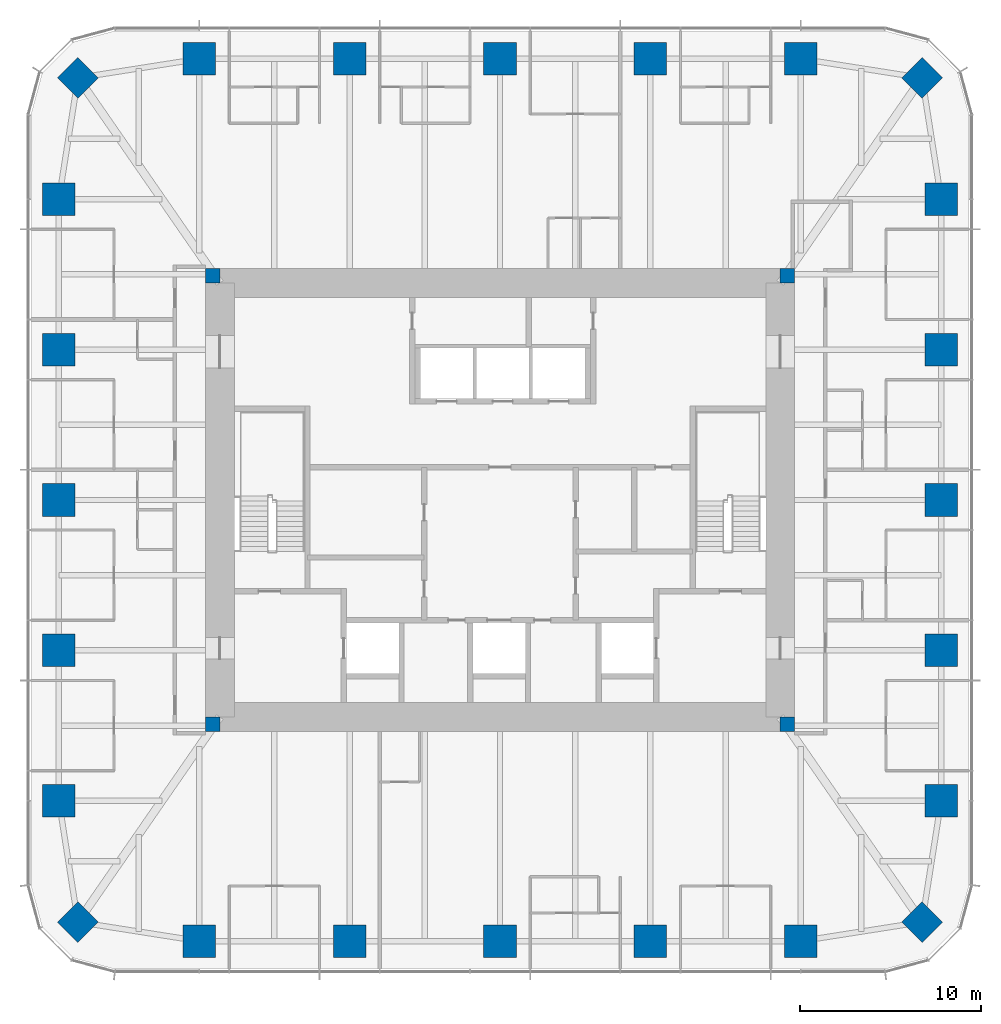
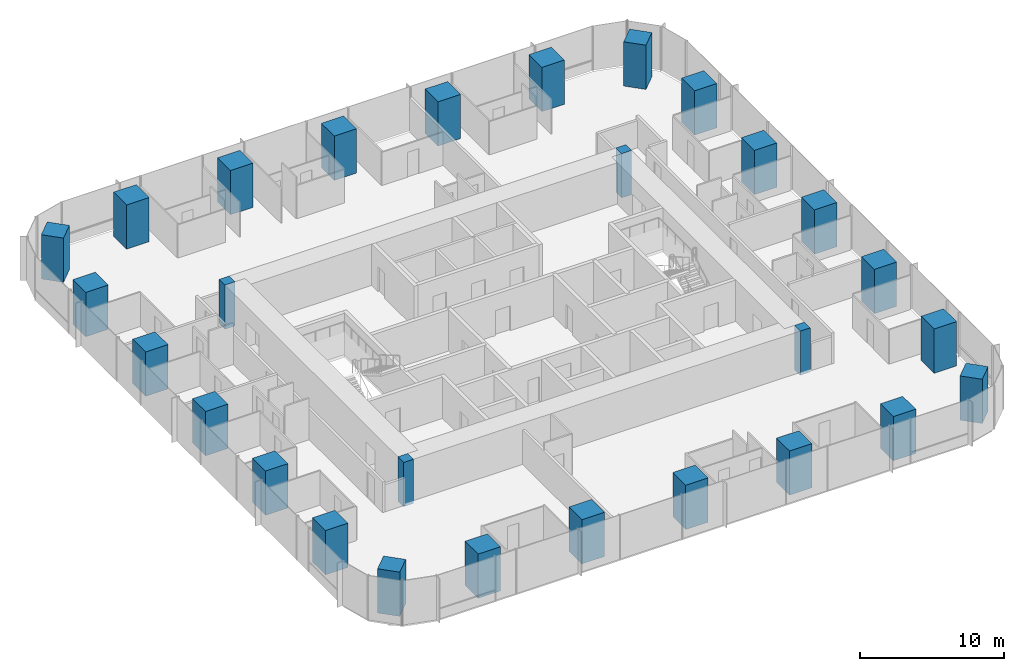
# One storey, part 1 of 12: 28 columns.
"""IFC4 building model written with IfcOpenShell, lengths in metres."""

from ifc_helpers import new_model, si_unit, direction, frame, origin, origin_2d, place, context, subcontext, project, spatial, rectangle, extrude, material, material_profile, profile_set, type_object, element, save


model = new_model("IFC4")

# Units and contexts
model_context = context("Model", 3, precision=1e-05, world=origin(), true_north=direction((0.0, 1.0)))
body_context = subcontext(model_context, "Body", "Model", "MODEL_VIEW")
ifc_project = project(units=[si_unit("LENGTHUNIT", "METRE"), si_unit("AREAUNIT", "SQUARE_METRE"), si_unit("VOLUMEUNIT", "CUBIC_METRE"), si_unit("PLANEANGLEUNIT", "RADIAN"), si_unit("MASSUNIT", "GRAM", prefix="KILO")], contexts=[model_context])

# Site, building, storey
site_placement = place(None, origin())
site = spatial("IfcSite", under=ifc_project, at=site_placement, CompositionType="ELEMENT")
building_placement = place(site_placement, origin())
building = spatial("IfcBuilding", under=site, at=building_placement, Name="Khuree Lantern Residences", CompositionType="ELEMENT")
storey_placement = place(building_placement, frame((0.0, 0.0, 240.75)))
storey = spatial("IfcBuildingStorey", under=building, at=storey_placement, Name="L60", CompositionType="ELEMENT", Elevation=240.75)

# Columns
ifc_material_1 = material(Name="Concrete C70/85", Category="concrete")
ifc_material_profile_1 = material_profile(ifc_material_1, rectangle(XDim=1.60009765625, YDim=1.60009765625, at=origin_2d()), Name="RC 1600X1600")
ifc_profile_set_1 = profile_set([ifc_material_profile_1], Name="Concrete C70/85")
column_type_1 = type_object("IfcColumnType", Name="CC1600A PERIMETER CORNER COLUMN RC 1600X1600", PredefinedType="COLUMN", material=ifc_profile_set_1)
for number, where, z_axis, x_axis, name in (
    (1, (23.345703125, 23.345703125, 0.0), (0.0, 0.0, 1.0), (0.707106781187, -0.707106781187, 0.0), "Perimeter column NE"),
    (2, (23.345703125, -23.345703125, 0.0), (0.0, 0.0, 1.0), (0.707106781187, 0.707106781187, 0.0), "Perimeter column SE"),
    (3, (-23.345703125, -23.345703125, 0.0), (0.0, 0.0, 1.0), (0.707106781187, -0.707106781187, 0.0), "Perimeter column SW"),
    (4, (-23.345703125, 23.345703125, 0.0), (0.0, 0.0, 1.0), (0.707106781187, 0.707106781187, 0.0), "Perimeter column NW"),
):
    element("IfcColumn", number, at=place(storey_placement, frame(where, z_axis=z_axis, x_axis=x_axis)), inside=storey, type_object=column_type_1, Name=name, PredefinedType="COLUMN", context=body_context, shape_type="SweptSolid", body=[
        extrude(rectangle(XDim=1.60009765625, YDim=1.60009765625, at=origin_2d()), origin(), (0.0, 0.0, 1.0), 3.75),
    ])
ifc_material_2 = material(Name="Concrete C50/60", Category="concrete")
ifc_material_profile_2 = material_profile(ifc_material_2, rectangle(XDim=0.800048828125, YDim=0.800048828125, at=origin_2d()), Name="RC 800X800")
ifc_profile_set_2 = profile_set([ifc_material_profile_2], Name="Concrete C50/60")
column_type_2 = type_object("IfcColumnType", Name="CP800-C50 CORE CORNER PIER C50 RC 800X800", PredefinedType="COLUMN", material=ifc_profile_set_2)
for number, where, z_axis, x_axis, name in (
    (5, (15.89990234375, 12.39990234375, -0.25), (0.0, 0.0, 1.0), (1.0, 0.0, 0.0), "Core corner pier NE"),
    (6, (-15.89990234375, 12.39990234375, -0.25), (0.0, 0.0, 1.0), (1.0, 0.0, 0.0), "Core corner pier NW"),
    (7, (-15.89990234375, -12.39990234375, -0.25), (0.0, 0.0, 1.0), (1.0, 0.0, 0.0), "Core corner pier SW"),
    (8, (15.89990234375, -12.39990234375, -0.25), (0.0, 0.0, 1.0), (1.0, 0.0, 0.0), "Core corner pier SE"),
):
    element("IfcColumn", number, at=place(storey_placement, frame(where, z_axis=z_axis, x_axis=x_axis)), inside=storey, type_object=column_type_2, Name=name, PredefinedType="COLUMN", context=body_context, shape_type="SweptSolid", body=[
        extrude(rectangle(XDim=0.800048828125, YDim=0.800048828125, at=origin_2d()), origin(), (0.0, 0.0, 1.0), 3.75),
    ])
ifc_material_profile_3 = material_profile(ifc_material_1, rectangle(XDim=1.800048828125, YDim=1.800048828125, at=origin_2d()), Name="RC 1800X1800")
ifc_profile_set_3 = profile_set([ifc_material_profile_3], Name="Concrete C70/85")
column_type_3 = type_object("IfcColumnType", Name="PC4 PERIMETER COLUMN RC 1800X1800", PredefinedType="COLUMN", material=ifc_profile_set_3)
for number, where, z_axis, x_axis, name in (
    (9, (-16.639892578125, 24.39990234375, 0.0), (0.0, 0.0, 1.0), (1.0, 0.0, 0.0), "Perimeter column N1"),
    (10, (-8.320068359375, 24.39990234375, 0.0), (0.0, 0.0, 1.0), (1.0, 0.0, 0.0), "Perimeter column N2"),
    (11, (0.0, 24.39990234375, 0.0), (0.0, 0.0, 1.0), (1.0, 0.0, 0.0), "Perimeter column N3"),
    (12, (8.320068359375, 24.39990234375, 0.0), (0.0, 0.0, 1.0), (1.0, 0.0, 0.0), "Perimeter column N4"),
    (13, (16.639892578125, 24.39990234375, 0.0), (0.0, 0.0, 1.0), (1.0, 0.0, 0.0), "Perimeter column N5"),
    (14, (24.39990234375, 16.639892578125, 0.0), (0.0, 0.0, 1.0), (0.0, 1.0, 0.0), "Perimeter column E1"),
    (15, (24.39990234375, 8.320068359375, 0.0), (0.0, 0.0, 1.0), (0.0, 1.0, 0.0), "Perimeter column E2"),
    (16, (24.39990234375, 0.0, 0.0), (0.0, 0.0, 1.0), (0.0, 1.0, 0.0), "Perimeter column E3"),
    (17, (24.39990234375, -8.320068359375, 0.0), (0.0, 0.0, 1.0), (0.0, 1.0, 0.0), "Perimeter column E4"),
    (18, (24.39990234375, -16.639892578125, 0.0), (0.0, 0.0, 1.0), (0.0, 1.0, 0.0), "Perimeter column E5"),
    (19, (16.639892578125, -24.39990234375, 0.0), (0.0, 0.0, 1.0), (1.0, 0.0, 0.0), "Perimeter column S1"),
    (20, (8.320068359375, -24.39990234375, 0.0), (0.0, 0.0, 1.0), (1.0, 0.0, 0.0), "Perimeter column S2"),
    (21, (0.0, -24.39990234375, 0.0), (0.0, 0.0, 1.0), (1.0, 0.0, 0.0), "Perimeter column S3"),
    (22, (-8.320068359375, -24.39990234375, 0.0), (0.0, 0.0, 1.0), (1.0, 0.0, 0.0), "Perimeter column S4"),
    (23, (-16.639892578125, -24.39990234375, 0.0), (0.0, 0.0, 1.0), (1.0, 0.0, 0.0), "Perimeter column S5"),
    (24, (-24.39990234375, -16.639892578125, 0.0), (0.0, 0.0, 1.0), (0.0, 1.0, 0.0), "Perimeter column W1"),
    (25, (-24.39990234375, -8.320068359375, 0.0), (0.0, 0.0, 1.0), (0.0, 1.0, 0.0), "Perimeter column W2"),
    (26, (-24.39990234375, 0.0, 0.0), (0.0, 0.0, 1.0), (0.0, 1.0, 0.0), "Perimeter column W3"),
    (27, (-24.39990234375, 8.320068359375, 0.0), (0.0, 0.0, 1.0), (0.0, 1.0, 0.0), "Perimeter column W4"),
    (28, (-24.39990234375, 16.639892578125, 0.0), (0.0, 0.0, 1.0), (0.0, 1.0, 0.0), "Perimeter column W5"),
):
    element("IfcColumn", number, at=place(storey_placement, frame(where, z_axis=z_axis, x_axis=x_axis)), inside=storey, type_object=column_type_3, Name=name, PredefinedType="COLUMN", context=body_context, shape_type="SweptSolid", body=[
        extrude(rectangle(XDim=1.800048828125, YDim=1.800048828125, at=origin_2d()), origin(), (0.0, 0.0, 1.0), 3.75),
    ])

save(model, "model.ifc")
